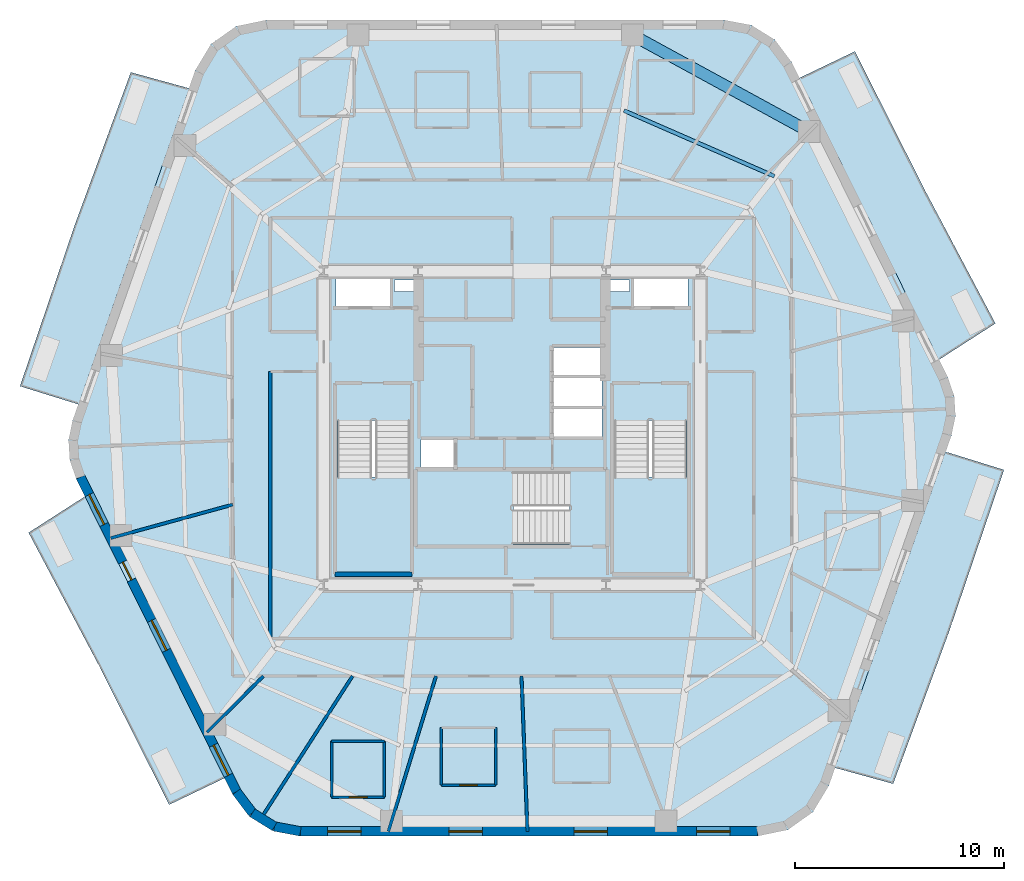
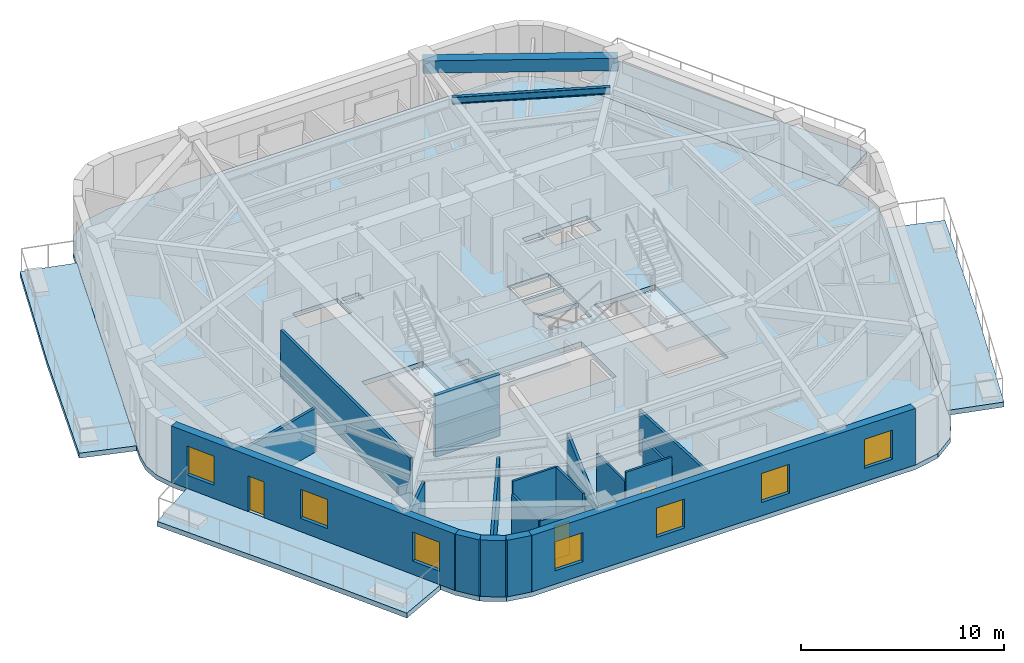
# One storey, part 2 of 10: 19 walls, 8 slabs, 7 windows, 3 doors, 2 beams, 10 openings, 3 elements without a shape of their own.
"""IFC4 building model written with IfcOpenShell, lengths in metres."""

import ifcopenshell
import ifcopenshell.guid

model = None  # the IFC model being written
_history = None  # IfcOwnerHistory: only IFC2X3 demands one
_inside = {}  # id of a spatial element -> (the spatial element, [elements in it])
_under = {}  # id of a project, library or spatial element -> (it, [spatial elements below it])
_declared = {}  # id of a project -> (the project, [libraries it declares])
_typed = {}  # id of a type object -> (the type object, [elements of that type])
_made_of = {}  # id of a material, layer set ... -> (it, [elements and type objects made of it])


def new_model(schema):
    """Start an empty IFC model of exactly this schema.

    Asked for "IFC4X3", IfcOpenShell would pick the latest addendum, in which some entities
    have other attributes; the version numbers below select the first issue.
    IFC2X3 requires an IfcOwnerHistory on every rooted entity: one is made here for all.
    """
    global model, _history
    if schema == "IFC4X3":
        model = ifcopenshell.file(schema_version=(4, 3, 0, 0))
    else:
        model = ifcopenshell.file(schema=schema)
    _inside.clear()
    _under.clear()
    _declared.clear()
    _typed.clear()
    _made_of.clear()
    _history = None
    if model.schema == "IFC2X3":
        org = make("IfcOrganization", Name="unknown")
        user = make(
            "IfcPersonAndOrganization",
            ThePerson=make("IfcPerson", FamilyName="unknown"),
            TheOrganization=org,
        )
        app = make(
            "IfcApplication",
            ApplicationDeveloper=org,
            Version="unknown",
            ApplicationFullName="unknown",
            ApplicationIdentifier="unknown",
        )
        _history = make(
            "IfcOwnerHistory",
            OwningUser=user,
            OwningApplication=app,
            ChangeAction="ADDED",
            CreationDate=0,
        )
    return model


def make(cls, **values):
    """One entity of the class cls with the attributes given. An attribute that is None is left unset."""
    return model.create_entity(
        cls, **{name: value for name, value in values.items() if value is not None}
    )


def rooted(cls, **values):
    """An entity with a GlobalId (a new one), such as an element, a storey or a relation."""
    return make(cls, GlobalId=ifcopenshell.guid.new(), OwnerHistory=_history, **values)


def si_unit(unit_type, name, prefix=None):
    """IfcSIUnit, for example si_unit("LENGTHUNIT", "METRE", prefix="MILLI")."""
    return make("IfcSIUnit", UnitType=unit_type, Prefix=prefix, Name=name)


def assignment(units):
    """IfcUnitAssignment: the units of a project."""
    return None if units is None else make("IfcUnitAssignment", Units=units)


def point(xyz):
    """IfcCartesianPoint."""
    return None if xyz is None else make("IfcCartesianPoint", Coordinates=xyz)


def direction(xyz):
    """IfcDirection."""
    return None if xyz is None else make("IfcDirection", DirectionRatios=xyz)


def frame(location, z_axis=None, x_axis=None):
    """IfcAxis2Placement3D, a coordinate frame: its origin and axes. An axis left out is left unset."""
    return make(
        "IfcAxis2Placement3D",
        Location=point(location),
        Axis=direction(z_axis),
        RefDirection=direction(x_axis),
    )


def frame_2d(location, x_axis=None):
    """IfcAxis2Placement2D, a coordinate frame in the plane: its origin and x axis."""
    return make(
        "IfcAxis2Placement2D", Location=point(location), RefDirection=direction(x_axis)
    )


def origin():
    """The frame at (0, 0, 0) with its axes left unset."""
    return frame((0.0, 0.0, 0.0))


def origin_2d():
    """The frame at (0, 0) in the plane with its x axis left unset."""
    return frame_2d((0.0, 0.0))


def place(relative_to, where):
    """IfcLocalPlacement: puts the frame where relative to a parent placement (None: the world)."""
    return make(
        "IfcLocalPlacement", PlacementRelTo=relative_to, RelativePlacement=where
    )


def context(
    kind, dimensions, precision=None, world=None, true_north=None, identifier=None
):
    """IfcGeometricRepresentationContext, for example the 3D "Model" context."""
    return make(
        "IfcGeometricRepresentationContext",
        ContextIdentifier=identifier,
        ContextType=kind,
        CoordinateSpaceDimension=dimensions,
        Precision=precision,
        WorldCoordinateSystem=world,
        TrueNorth=true_north,
    )


def subcontext(parent, identifier, kind, view, scale=None):
    """IfcGeometricRepresentationSubContext, for example "Body" below "Model"."""
    return make(
        "IfcGeometricRepresentationSubContext",
        ContextIdentifier=identifier,
        ContextType=kind,
        ParentContext=parent,
        TargetScale=scale,
        TargetView=view,
    )


def project(units=None, contexts=None):
    """IfcProject with its units and contexts."""
    return rooted(
        "IfcProject",
        Name="project",
        RepresentationContexts=contexts,
        UnitsInContext=assignment(units),
    )


def spatial(cls, under=None, at=None, **own):
    """A site, building, storey or space (cls), placed at a placement, below another one or the project."""
    s = rooted(cls, ObjectPlacement=at, **own)
    if under is not None:
        _under.setdefault(under.id(), (under, []))[1].append(s)
    return s


def polyline(points):
    """IfcPolyline through the points."""
    return make("IfcPolyline", Points=[point(p) for p in points])


def profile(cls, at=None, kind="AREA", **sizes):
    """A parametric profile (cls). Its sizes go by their IFC names, for example OverallWidth=200.0."""
    return make(cls, ProfileType=kind, Position=at, **sizes)


def rectangle(**sizes):
    """IfcRectangleProfileDef."""
    return profile("IfcRectangleProfileDef", **sizes)


def i_section(**sizes):
    """IfcIShapeProfileDef."""
    return profile("IfcIShapeProfileDef", **sizes)


def outline(outer, holes=None, kind="AREA"):
    """IfcArbitraryClosedProfileDef: a profile drawn as a closed curve; with holes, ...WithVoids."""
    if holes is None:
        return make("IfcArbitraryClosedProfileDef", ProfileType=kind, OuterCurve=outer)
    return make(
        "IfcArbitraryProfileDefWithVoids",
        ProfileType=kind,
        OuterCurve=outer,
        InnerCurves=holes,
    )


def extrude(swept, where, along, depth):
    """IfcExtrudedAreaSolid: the profile swept, set in the frame where, extruded along a direction by depth."""
    return make(
        "IfcExtrudedAreaSolid",
        SweptArea=swept,
        Position=where,
        ExtrudedDirection=direction(along),
        Depth=depth,
    )


def shape(context_of_items, identifier, shape_type, items):
    """IfcShapeRepresentation: the items that make up one representation, for example the "Body"."""
    return make(
        "IfcShapeRepresentation",
        ContextOfItems=context_of_items,
        RepresentationIdentifier=identifier,
        RepresentationType=shape_type,
        Items=items,
    )


def material(Name=None, Category=None):
    """IfcMaterial."""
    return make("IfcMaterial", Name=Name, Category=Category)


def layer(
    of_material, thickness, ventilated=None, Name=None, Category=None, Priority=None
):
    """IfcMaterialLayer: one layer of a wall or slab, of a material (None: an air gap)."""
    return make(
        "IfcMaterialLayer",
        Material=of_material,
        LayerThickness=thickness,
        IsVentilated=ventilated,
        Name=Name,
        Category=Category,
        Priority=Priority,
    )


def layer_set(layers, Name=None):
    """IfcMaterialLayerSet."""
    return make("IfcMaterialLayerSet", MaterialLayers=layers, LayerSetName=Name)


def material_profile(
    of_material, cross_section, Name=None, Category=None, Priority=None
):
    """IfcMaterialProfile: a cross section and its material."""
    return make(
        "IfcMaterialProfile",
        Name=Name,
        Material=of_material,
        Profile=cross_section,
        Priority=Priority,
        Category=Category,
    )


def profile_set(profiles, Name=None, composite=None):
    """IfcMaterialProfileSet."""
    return make(
        "IfcMaterialProfileSet",
        Name=Name,
        MaterialProfiles=profiles,
        CompositeProfile=composite,
    )


def made_of(thing, what):
    """Note that an element or type object is made of a material, layer set ...; save() writes the relation."""
    if what is not None:
        _made_of.setdefault(what.id(), (what, []))[1].append(thing)
    return thing


def type_object(cls, material=None, **own):
    """A type object (cls), such as IfcWallType, which elements share."""
    return made_of(rooted(cls, **own), material)


def element(
    cls,
    number,
    at=None,
    inside=None,
    cuts=None,
    type_object=None,
    material=None,
    context=None,
    identifier="Body",
    shape_type=None,
    held_by="IfcProductDefinitionShape",
    body=None,
    shapes=None,
    **own,
):
    """One element of the class cls, such as IfcWall. Its Tag is "e" and its number.

    at: its placement. inside: the storey or other place that contains it. cuts: it is an
    opening in that element (IfcRelVoidsElement). A single representation is given by context,
    identifier, shape_type and body (its items); several are given by shapes. held_by: the class
    of the entity that holds the representations. save() writes the other relations.
    """
    e = rooted(cls, Tag="e%d" % number, ObjectPlacement=at, **own)
    if body is not None:
        shapes = [shape(context, identifier, shape_type, body)]
    if shapes is not None:
        e.Representation = make(held_by, Representations=shapes)
    if inside is not None:
        _inside.setdefault(inside.id(), (inside, []))[1].append(e)
    if cuts is not None:
        rooted(
            "IfcRelVoidsElement", RelatingBuildingElement=cuts, RelatedOpeningElement=e
        )
    if type_object is not None:
        _typed.setdefault(type_object.id(), (type_object, []))[1].append(e)
    return made_of(e, material)


def fill(opening, filler):
    """IfcRelFillsElement: the door or window that sits in an opening."""
    return rooted(
        "IfcRelFillsElement",
        RelatingOpeningElement=opening,
        RelatedBuildingElement=filler,
    )


def aggregate(whole, parts):
    """IfcRelAggregates: a whole, such as a stair, and the parts it consists of."""
    return rooted("IfcRelAggregates", RelatingObject=whole, RelatedObjects=parts)


def save(model, path):
    """Write the relations noted so far, then the file.

    IfcRelAggregates (storeys below a building ...), IfcRelContainedInSpatialStructure (elements
    in a storey), IfcRelDefinesByType, IfcRelAssociatesMaterial and IfcRelDeclares: one each for
    every whole, place, type object, material and project.
    """
    for whole, parts in _under.values():
        aggregate(whole, parts)
    for where, things in _inside.values():
        rooted(
            "IfcRelContainedInSpatialStructure",
            RelatedElements=things,
            RelatingStructure=where,
        )
    for kind, things in _typed.values():
        rooted("IfcRelDefinesByType", RelatedObjects=things, RelatingType=kind)
    for what, things in _made_of.values():
        rooted("IfcRelAssociatesMaterial", RelatedObjects=things, RelatingMaterial=what)
    for by, libraries in _declared.values():
        rooted("IfcRelDeclares", RelatingContext=by, RelatedDefinitions=libraries)
    model.write(path)


model = new_model("IFC4")

# Units and contexts
model_context = context("Model", 3, precision=1e-05, world=origin(), true_north=direction((0.0, 1.0)))
body_context = subcontext(model_context, "Body", "Model", "MODEL_VIEW")
ifc_project = project(units=[si_unit("LENGTHUNIT", "METRE"), si_unit("AREAUNIT", "SQUARE_METRE"), si_unit("VOLUMEUNIT", "CUBIC_METRE"), si_unit("PLANEANGLEUNIT", "RADIAN"), si_unit("MASSUNIT", "GRAM", prefix="KILO")], contexts=[model_context])

# Site, building, storey
site_placement = place(None, origin())
site = spatial("IfcSite", under=ifc_project, at=site_placement, CompositionType="ELEMENT")
building_placement = place(site_placement, origin())
building = spatial("IfcBuilding", under=site, at=building_placement, Name="Kilnhurst Terrace Hotel", CompositionType="ELEMENT")
storey_placement = place(building_placement, frame((0.0, 0.0, 183.0)))
storey = spatial("IfcBuildingStorey", under=building, at=storey_placement, Name="L45", CompositionType="ELEMENT", Elevation=183.0)

# Beams
ifc_material_1 = material(Name="Concrete C50/60", Category="concrete")
ifc_material_profile_1 = material_profile(ifc_material_1, rectangle(XDim=0.550048828125, YDim=0.75, at=origin_2d()), Name="RC550X750")
ifc_profile_set_1 = profile_set([ifc_material_profile_1], Name="Concrete C50/60")
beam_type_1 = type_object("IfcBeamType", Name="BM-SPN-550X750", PredefinedType="SPANDREL", material=ifc_profile_set_1)
beam_1_placement = place(storey_placement, frame((14.2041015625, 14.166015625, 3.02490234375), z_axis=(-0.87766189723, 0.479280287672, 0.0), x_axis=(-0.479280287672, -0.87766189723, 0.0)))
element("IfcBeam", 1, at=beam_1_placement, inside=storey, type_object=beam_type_1, Name="L45 Perimeter Spandrel Beam 6", PredefinedType="SPANDREL", context=body_context, shape_type="SweptSolid", body=[
    extrude(rectangle(XDim=0.550048828125, YDim=0.75, at=origin_2d()), origin(), (0.0, 0.0, 1.0), 9.626953125),
])
ifc_material_2 = material(Name="Steel ASTM A992 Grade 50", Category="steel")
ifc_material_profile_2 = material_profile(ifc_material_2, i_section(OverallWidth=0.180908203125, OverallDepth=0.417236328125, WebThickness=0.010986328125, FlangeThickness=0.018310546875, at=origin_2d()), Name="W16X57")
ifc_profile_set_2 = profile_set([ifc_material_profile_2], Name="Steel ASTM A992 Grade 50")
beam_type_2 = type_object("IfcBeamType", Name="JST-STL-W16X57", PredefinedType="JOIST", material=ifc_profile_set_2)
beam_2_placement = place(storey_placement, frame((12.538818359375, 12.032958984375, 3.19091796875), z_axis=(-0.916443679054, 0.400163695407, 0.0), x_axis=(-0.400163695407, -0.916443679054, 0.0)))
element("IfcBeam", 2, at=beam_2_placement, inside=storey, type_object=beam_type_2, Name="L45 Secondary Floor Steel Joist OUT.6", PredefinedType="JOIST", context=body_context, shape_type="SweptSolid", body=[
    extrude(i_section(OverallWidth=0.180908203125, OverallDepth=0.417236328125, WebThickness=0.010986328125, FlangeThickness=0.018310546875, at=origin_2d()), origin(), (0.0, 0.0, 1.0), 7.84033203125),
])

# Slabs
ifc_layer_1 = layer(ifc_material_1, 0.300048828125, Name="Concrete C50/60")
ifc_layer_set_1 = layer_set([ifc_layer_1], Name="Concrete C50/60")
slab_type_1 = type_object("IfcSlabType", Name="SLB-BAL-300", PredefinedType="FLOOR", material=ifc_layer_set_1)
slab_1_placement = place(storey_placement, frame((0.0, 0.0, -0.300048828125)))
element("IfcSlab", 3, at=slab_1_placement, inside=storey, type_object=slab_type_1, Name="L45 Cantilevered Planted Terrace Slab BAL-L1A", PredefinedType="FLOOR", context=body_context, shape_type="SweptSolid", body=[
    extrude(outline(polyline([(20.892333984375, -9.7119140625), (18.216064453125, -17.0), (15.420654296875, -16.2314453125), (20.708251953125, -1.128662109375), (23.511962890625, -2.0), (20.892333984375, -9.7119140625)])), origin(), (0.0, 0.0, 1.0), 0.300048828125),
])
slab_2_placement = place(storey_placement, frame((0.0, 0.0, -0.300048828125)))
element("IfcSlab", 4, at=slab_2_placement, inside=storey, type_object=slab_type_1, Name="L45 Cantilevered Planted Terrace Slab BAL-L1B", PredefinedType="FLOOR", context=body_context, shape_type="SweptSolid", body=[
    extrude(outline(polyline([(23.100830078125, 5.0), (20.393310546875, 3.25927734375), (13.718505859375, 16.72021484375), (16.384033203125, 18.0), (19.769287109375, 11.293212890625), (23.100830078125, 5.0)])), origin(), (0.0, 0.0, 1.0), 0.300048828125),
])
slab_3_placement = place(storey_placement, frame((0.0, 0.0, -0.300048828125)))
element("IfcSlab", 5, at=slab_3_placement, inside=storey, type_object=slab_type_1, Name="L45 Cantilevered Planted Terrace Slab BAL-L2A", PredefinedType="FLOOR", context=body_context, shape_type="SweptSolid", body=[
    extrude(outline(polyline([(-18.216064453125, 17.0), (-15.420654296875, 16.2314453125), (-20.708251953125, 1.128662109375), (-23.511962890625, 2.0), (-20.892333984375, 9.7119140625), (-18.216064453125, 17.0)])), origin(), (0.0, 0.0, 1.0), 0.300048828125),
])
slab_4_placement = place(storey_placement, frame((0.0, 0.0, -0.300048828125)))
element("IfcSlab", 6, at=slab_4_placement, inside=storey, type_object=slab_type_1, Name="L45 Cantilevered Planted Terrace Slab BAL-L2B", PredefinedType="FLOOR", context=body_context, shape_type="SweptSolid", body=[
    extrude(outline(polyline([(-23.100830078125, -5.0), (-20.393310546875, -3.25927734375), (-13.718505859375, -16.72021484375), (-16.384033203125, -18.0), (-19.769287109375, -11.293212890625), (-23.100830078125, -5.0)])), origin(), (0.0, 0.0, 1.0), 0.300048828125),
])
ifc_layer_2 = layer(ifc_material_1, 0.280029296875, Name="Concrete C50/60")
ifc_layer_set_2 = layer_set([ifc_layer_2], Name="Concrete C50/60")
slab_type_2 = type_object("IfcSlabType", Name="SLB-FLR-280", PredefinedType="FLOOR", material=ifc_layer_set_2)
slab_5_placement = place(storey_placement, frame((0.0, 0.0, -0.280029296875)))
element("IfcSlab", 7, at=slab_5_placement, inside=storey, type_object=slab_type_2, Name="L45 Structural Floor Slab", PredefinedType="FLOOR", context=body_context, shape_type="SweptSolid", body=[
    extrude(outline(polyline([(-13.3544921875, -17.499267578125), (-12.5576171875, -18.5576171875), (-11.431640625, -19.256103515625), (-10.12939453125, -19.5), (11.74365234375, -19.5), (13.18310546875, -19.19970703125), (14.38232421875, -18.348876953125), (15.141357421875, -17.089599609375), (20.9990234375, -0.3583984375), (21.192138671875, 0.57568359375), (21.13330078125, 1.527587890625), (20.82666015625, 2.4306640625), (13.3544921875, 17.499267578125), (12.5576171875, 18.5576171875), (11.431640625, 19.256103515625), (10.12939453125, 19.5), (-11.74365234375, 19.5), (-13.18310546875, 19.19970703125), (-14.38232421875, 18.348876953125), (-15.141357421875, 17.089599609375), (-20.9990234375, 0.3583984375), (-21.192138671875, -0.57568359375), (-21.13330078125, -1.527587890625), (-20.82666015625, -2.4306640625), (-13.3544921875, -17.499267578125)]), holes=[polyline([(2.7548828125, -2.080078125), (2.7548828125, -5.550048828125), (-4.5, -5.550048828125), (-4.5, -2.080078125), (2.7548828125, -2.080078125)]), polyline([(-8.35009765625, 0.35498046875), (-4.8798828125, 0.35498046875), (-4.8798828125, -6.89990234375), (-8.35009765625, -6.89990234375), (-8.35009765625, 0.35498046875)]), polyline([(-2.800048828125, -1.89990234375), (-4.35009765625, -1.89990234375), (-4.35009765625, -0.550048828125), (-2.800048828125, -0.550048828125), (-2.800048828125, -1.89990234375)]), polyline([(1.949951171875, -0.429931640625), (1.949951171875, 0.89990234375), (4.300048828125, 0.89990234375), (4.300048828125, -0.429931640625), (1.949951171875, -0.429931640625)]), polyline([(-8.39990234375, 5.75), (-8.39990234375, 7.14990234375), (-5.800048828125, 7.14990234375), (-5.800048828125, 5.75), (-8.39990234375, 5.75)]), polyline([(-4.659912109375, 6.52001953125), (-5.6201171875, 6.52001953125), (-5.6201171875, 7.080078125), (-4.659912109375, 7.080078125), (-4.659912109375, 6.52001953125)]), polyline([(8.35009765625, 0.35498046875), (8.35009765625, -6.89990234375), (4.8798828125, -6.89990234375), (4.8798828125, 0.35498046875), (8.35009765625, 0.35498046875)]), polyline([(1.949951171875, 1.050048828125), (1.949951171875, 2.3798828125), (4.300048828125, 2.3798828125), (4.300048828125, 1.050048828125), (1.949951171875, 1.050048828125)]), polyline([(4.300048828125, 2.530029296875), (1.949951171875, 2.530029296875), (1.949951171875, 3.860107421875), (4.300048828125, 3.860107421875), (4.300048828125, 2.530029296875)]), polyline([(5.800048828125, 5.75), (5.800048828125, 7.14990234375), (8.39990234375, 7.14990234375), (8.39990234375, 5.75), (5.800048828125, 5.75)]), polyline([(4.659912109375, 6.52001953125), (4.659912109375, 7.080078125), (5.6201171875, 7.080078125), (5.6201171875, 6.52001953125), (4.659912109375, 6.52001953125)])]), origin(), (0.0, 0.0, 1.0), 0.280029296875),
])

# Stair, slab
stair_type = type_object("IfcStairType", Name="STR-CORE-1660", PredefinedType="HALF_TURN_STAIR", material=ifc_material_1)
stair_1_placement = place(storey_placement, origin())
stair_1 = element("IfcStair", 8, at=stair_1_placement, inside=storey, type_object=stair_type, Name="L45 ST-1", PredefinedType="HALF_TURN_STAIR")
ifc_layer_3 = layer(ifc_material_1, 0.199951171875, Name="Concrete C50/60")
ifc_layer_set_3 = layer_set([ifc_layer_3], Name="Concrete C50/60")
slab_type_3 = type_object("IfcSlabType", Name="SLB-ST-LND-200", PredefinedType="LANDING", material=ifc_layer_set_3)
slab_6_placement = place(storey_placement, frame((0.0, 0.0, 1.64990234375)))
slab_6 = element("IfcSlab", 9, at=slab_6_placement, type_object=slab_type_3, Name="ST-1 landing 1", PredefinedType="LANDING", context=body_context, shape_type="SweptSolid", body=[
    extrude(outline(polyline([(-8.429931640625, -2.330078125), (-4.800048828125, -2.330078125), (-4.800048828125, -6.97998046875), (-8.429931640625, -6.97998046875), (-8.429931640625, -2.330078125)])), origin(), (0.0, 0.0, 1.0), 0.2001953125),
])
aggregate(stair_1, [slab_6])

stair_2_placement = place(storey_placement, origin())
stair_2 = element("IfcStair", 10, at=stair_2_placement, inside=storey, type_object=stair_type, Name="L45 ST-2", PredefinedType="HALF_TURN_STAIR")
slab_7_placement = place(storey_placement, frame((0.0, 0.0, 1.64990234375)))
slab_7 = element("IfcSlab", 11, at=slab_7_placement, type_object=slab_type_3, Name="ST-2 landing 1", PredefinedType="LANDING", context=body_context, shape_type="SweptSolid", body=[
    extrude(outline(polyline([(4.800048828125, -2.330078125), (8.429931640625, -2.330078125), (8.429931640625, -6.97998046875), (4.800048828125, -6.97998046875), (4.800048828125, -2.330078125)])), origin(), (0.0, 0.0, 1.0), 0.2001953125),
])
aggregate(stair_2, [slab_7])

stair_3_placement = place(storey_placement, origin())
stair_3 = element("IfcStair", 12, at=stair_3_placement, inside=storey, type_object=stair_type, Name="L45 ST-3", PredefinedType="HALF_TURN_STAIR")
slab_8_placement = place(storey_placement, frame((0.0, 0.0, 1.64990234375)))
slab_8 = element("IfcSlab", 13, at=slab_8_placement, type_object=slab_type_3, Name="ST-3 landing 1", PredefinedType="LANDING", context=body_context, shape_type="SweptSolid", body=[
    extrude(outline(polyline([(0.070068359375, -2.0), (0.070068359375, -5.6298828125), (-4.580078125, -5.6298828125), (-4.580078125, -2.0), (0.070068359375, -2.0)])), origin(), (0.0, 0.0, 1.0), 0.2001953125),
])
aggregate(stair_3, [slab_8])

# Walls
ifc_material_3 = material(Name="Precast concrete C40/50", Category="concrete")
ifc_layer_4 = layer(ifc_material_3, 0.449951171875, Name="Precast concrete C40/50")
ifc_layer_set_4 = layer_set([ifc_layer_4], Name="Precast concrete C40/50")
wall_type_1 = type_object("IfcWallType", Name="WL-BRK-450", PredefinedType="SOLIDWALL", material=ifc_layer_set_4)
wall_1_placement = place(storey_placement, frame((-13.162353515625, -17.380615234375, 0.0), z_axis=(0.0, 0.0, 1.0), x_axis=(0.601515770517, -0.798860925205, 0.0)))
element("IfcWall", 14, at=wall_1_placement, inside=storey, type_object=wall_type_1, Name="L45 Rounded Corner Brick Wall C1.1", PredefinedType="SOLIDWALL", context=body_context, shape_type="SweptSolid", body=[
    extrude(rectangle(XDim=1.261962890625, YDim=0.449951171875, at=frame_2d((0.630859375, 0.0))), origin(), (0.0, 0.0, 1.0), 3.39990234375),
])
wall_2_placement = place(storey_placement, frame((-12.4033203125, -18.388671875, 0.0), z_axis=(0.0, 0.0, 1.0), x_axis=(0.849795170926, -0.527113049991, 0.0)))
element("IfcWall", 15, at=wall_2_placement, inside=storey, type_object=wall_type_1, Name="L45 Rounded Corner Brick Wall C1.2", PredefinedType="SOLIDWALL", context=body_context, shape_type="SweptSolid", body=[
    extrude(rectangle(XDim=1.24072265625, YDim=0.449951171875, at=frame_2d((0.620361328125, 0.0))), origin(), (0.0, 0.0, 1.0), 3.39990234375),
])
wall_3_placement = place(storey_placement, frame((-11.348876953125, -19.042724609375, 0.0), z_axis=(0.0, 0.0, 1.0), x_axis=(0.982931267051, -0.183973161772, 0.0)))
element("IfcWall", 16, at=wall_3_placement, inside=storey, type_object=wall_type_1, Name="L45 Rounded Corner Brick Wall C1.3", PredefinedType="SOLIDWALL", context=body_context, shape_type="SweptSolid", body=[
    extrude(rectangle(XDim=1.261962890625, YDim=0.449951171875, at=frame_2d((0.630859375, 0.0))), origin(), (0.0, 0.0, 1.0), 3.39990234375),
])

# Wall, openings, windows
wall_4_placement = place(storey_placement, frame((-10.1083984375, -19.27490234375, 0.0), z_axis=(0.0, 0.0, 1.0), x_axis=(1.0, 0.0, 0.0)))
wall_4 = element("IfcWall", 17, at=wall_4_placement, inside=storey, type_object=wall_type_1, Name="L45 Exterior Brick Facade Wall F1", PredefinedType="SOLIDWALL", context=body_context, shape_type="SweptSolid", body=[
    extrude(rectangle(XDim=21.828857421875, YDim=0.449951171875, at=frame_2d((10.91455078125, 0.0))), origin(), (0.0, 0.0, 1.0), 3.39990234375),
])
opening_1_placement = place(wall_4_placement, frame((1.297119140625, 0.0, 0.800048828125)))
opening_1 = element("IfcOpeningElement", 18, at=opening_1_placement, cuts=wall_4, Name="Opening W-05", PredefinedType="OPENING", context=body_context, shape_type="SweptSolid", body=[
    extrude(rectangle(XDim=1.60009765625, YDim=1.75, at=frame_2d((0.800048828125, 0.875))), frame((0.0, 0.23486328125, 0.0), z_axis=(0.0, -1.0, 0.0), x_axis=(1.0, 0.0, 0.0)), (0.0, 0.0, 1.0), 0.469970703125),
])
opening_2_placement = place(wall_4_placement, frame((7.090087890625, 0.0, 0.800048828125)))
opening_2 = element("IfcOpeningElement", 19, at=opening_2_placement, cuts=wall_4, Name="Opening W-05", PredefinedType="OPENING", context=body_context, shape_type="SweptSolid", body=[
    extrude(rectangle(XDim=1.60009765625, YDim=1.75, at=frame_2d((0.800048828125, 0.875))), frame((0.0, 0.23486328125, 0.0), z_axis=(0.0, -1.0, 0.0), x_axis=(1.0, 0.0, 0.0)), (0.0, 0.0, 1.0), 0.469970703125),
])
opening_3_placement = place(wall_4_placement, frame((13.072021484375, 0.0, 0.800048828125)))
opening_3 = element("IfcOpeningElement", 20, at=opening_3_placement, cuts=wall_4, Name="Opening W-05", PredefinedType="OPENING", context=body_context, shape_type="SweptSolid", body=[
    extrude(rectangle(XDim=1.60009765625, YDim=1.75, at=frame_2d((0.800048828125, 0.875))), frame((0.0, 0.23486328125, 0.0), z_axis=(0.0, -1.0, 0.0), x_axis=(1.0, 0.0, 0.0)), (0.0, 0.0, 1.0), 0.469970703125),
])
opening_4_placement = place(wall_4_placement, frame((18.93310546875, 0.0, 0.800048828125)))
opening_4 = element("IfcOpeningElement", 21, at=opening_4_placement, cuts=wall_4, Name="Opening W-05", PredefinedType="OPENING", context=body_context, shape_type="SweptSolid", body=[
    extrude(rectangle(XDim=1.60009765625, YDim=1.75, at=frame_2d((0.800048828125, 0.875))), frame((0.0, 0.23486328125, 0.0), z_axis=(0.0, -1.0, 0.0), x_axis=(1.0, 0.0, 0.0)), (0.0, 0.0, 1.0), 0.469970703125),
])
ifc_material_4 = material(Name="Thermally Broken Bronze Aluminium Alloy 6063-T6 and Low-E Glass", Category="aluminium")
window_type = type_object("IfcWindowType", Name="WIN-1600X1750", PartitioningType="SINGLE_PANEL", PredefinedType="WINDOW", material=ifc_material_4)
window_1_placement = place(opening_1_placement, origin())
window_1 = element("IfcWindow", 22, at=window_1_placement, inside=storey, type_object=window_type, Name="L45 Deep-Set Masonry Window F1.1", OverallHeight=1.75, OverallWidth=1.60009765625, PartitioningType="SINGLE_PANEL", PredefinedType="WINDOW", context=body_context, shape_type="SweptSolid", body=[
    extrude(rectangle(XDim=1.60009765625, YDim=1.75, at=frame_2d((0.800048828125, 0.875))), frame((0.0, 0.030029296875, 0.0), z_axis=(0.0, -1.0, 0.0), x_axis=(1.0, 0.0, 0.0)), (0.0, 0.0, 1.0), 0.06005859375),
])
fill(opening_1, window_1)
window_2_placement = place(opening_2_placement, origin())
window_2 = element("IfcWindow", 23, at=window_2_placement, inside=storey, type_object=window_type, Name="L45 Deep-Set Masonry Window F1.2", OverallHeight=1.75, OverallWidth=1.60009765625, PartitioningType="SINGLE_PANEL", PredefinedType="WINDOW", context=body_context, shape_type="SweptSolid", body=[
    extrude(rectangle(XDim=1.60009765625, YDim=1.75, at=frame_2d((0.800048828125, 0.875))), frame((0.0, 0.030029296875, 0.0), z_axis=(0.0, -1.0, 0.0), x_axis=(1.0, 0.0, 0.0)), (0.0, 0.0, 1.0), 0.06005859375),
])
fill(opening_2, window_2)
window_3_placement = place(opening_3_placement, origin())
window_3 = element("IfcWindow", 24, at=window_3_placement, inside=storey, type_object=window_type, Name="L45 Deep-Set Masonry Window F1.3", OverallHeight=1.75, OverallWidth=1.60009765625, PartitioningType="SINGLE_PANEL", PredefinedType="WINDOW", context=body_context, shape_type="SweptSolid", body=[
    extrude(rectangle(XDim=1.60009765625, YDim=1.75, at=frame_2d((0.800048828125, 0.875))), frame((0.0, 0.030029296875, 0.0), z_axis=(0.0, -1.0, 0.0), x_axis=(1.0, 0.0, 0.0)), (0.0, 0.0, 1.0), 0.06005859375),
])
fill(opening_3, window_3)
window_4_placement = place(opening_4_placement, origin())
window_4 = element("IfcWindow", 25, at=window_4_placement, inside=storey, type_object=window_type, Name="L45 Deep-Set Masonry Window F1.4", OverallHeight=1.75, OverallWidth=1.60009765625, PartitioningType="SINGLE_PANEL", PredefinedType="WINDOW", context=body_context, shape_type="SweptSolid", body=[
    extrude(rectangle(XDim=1.60009765625, YDim=1.75, at=frame_2d((0.800048828125, 0.875))), frame((0.0, 0.030029296875, 0.0), z_axis=(0.0, -1.0, 0.0), x_axis=(1.0, 0.0, 0.0)), (0.0, 0.0, 1.0), 0.06005859375),
])
fill(opening_4, window_4)

# Wall, openings, door, windows
wall_5_placement = place(storey_placement, frame((-20.618408203125, -2.343994140625, 0.0), z_axis=(0.0, 0.0, 1.0), x_axis=(0.444243691097, -0.895905990002, 0.0)))
wall_5 = element("IfcWall", 26, at=wall_5_placement, inside=storey, type_object=wall_type_1, Name="L45 Exterior Brick Facade Wall F6", PredefinedType="SOLIDWALL", context=body_context, shape_type="SweptSolid", body=[
    extrude(rectangle(XDim=16.78369140625, YDim=0.449951171875, at=frame_2d((8.391845703125, 0.0))), origin(), (0.0, 0.0, 1.0), 3.39990234375),
])
opening_5_placement = place(wall_5_placement, frame((4.534912109375, 0.0, 0.0)))
opening_5 = element("IfcOpeningElement", 27, at=opening_5_placement, cuts=wall_5, Name="Opening BD-950", PredefinedType="OPENING", context=body_context, shape_type="SweptSolid", body=[
    extrude(rectangle(XDim=0.949951171875, YDim=2.14990234375, at=frame_2d((0.47509765625, 1.074951171875))), frame((0.0, 0.23486328125, 0.0), z_axis=(0.0, -1.0, 0.0), x_axis=(1.0, 0.0, 0.0)), (0.0, 0.0, 1.0), 0.469970703125),
])
opening_6_placement = place(wall_5_placement, frame((0.930908203125, 0.0, 0.800048828125)))
opening_6 = element("IfcOpeningElement", 28, at=opening_6_placement, cuts=wall_5, Name="Opening W-05", PredefinedType="OPENING", context=body_context, shape_type="SweptSolid", body=[
    extrude(rectangle(XDim=1.60009765625, YDim=1.75, at=frame_2d((0.800048828125, 0.875))), frame((0.0, 0.23486328125, 0.0), z_axis=(0.0, -1.0, 0.0), x_axis=(1.0, 0.0, 0.0)), (0.0, 0.0, 1.0), 0.469970703125),
])
opening_7_placement = place(wall_5_placement, frame((7.64208984375, 0.0, 0.800048828125)))
opening_7 = element("IfcOpeningElement", 29, at=opening_7_placement, cuts=wall_5, Name="Opening W-05", PredefinedType="OPENING", context=body_context, shape_type="SweptSolid", body=[
    extrude(rectangle(XDim=1.60009765625, YDim=1.75, at=frame_2d((0.800048828125, 0.875))), frame((0.0, 0.23486328125, 0.0), z_axis=(0.0, -1.0, 0.0), x_axis=(1.0, 0.0, 0.0)), (0.0, 0.0, 1.0), 0.469970703125),
])
opening_8_placement = place(wall_5_placement, frame((14.302978515625, 0.0, 0.800048828125)))
opening_8 = element("IfcOpeningElement", 30, at=opening_8_placement, cuts=wall_5, Name="Opening W-05", PredefinedType="OPENING", context=body_context, shape_type="SweptSolid", body=[
    extrude(rectangle(XDim=1.60009765625, YDim=1.75, at=frame_2d((0.800048828125, 0.875))), frame((0.0, 0.23486328125, 0.0), z_axis=(0.0, -1.0, 0.0), x_axis=(1.0, 0.0, 0.0)), (0.0, 0.0, 1.0), 0.469970703125),
])
ifc_material_5 = material(Name="Thermally Broken Bronze Aluminium Alloy 6063-T6 and Laminated Glass", Category="aluminium")
door_type_1 = type_object("IfcDoorType", Name="DR-EXT-BAL-950", OperationType="NOTDEFINED", PredefinedType="DOOR", material=ifc_material_5)
door_1_placement = place(opening_5_placement, origin())
door_1 = element("IfcDoor", 31, at=door_1_placement, inside=storey, type_object=door_type_1, Name="L45 Planted Balcony Door BAL-L2B", OperationType="SINGLE_SWING_RIGHT", OverallHeight=2.14990234375, OverallWidth=0.949951171875, PredefinedType="DOOR", context=body_context, shape_type="SweptSolid", body=[
    extrude(rectangle(XDim=0.949951171875, YDim=2.14990234375, at=frame_2d((0.47509765625, 1.074951171875))), frame((0.0, 0.02490234375, 0.0), z_axis=(0.0, -1.0, 0.0), x_axis=(1.0, 0.0, 0.0)), (0.0, 0.0, 1.0), 0.050048828125),
])
fill(opening_5, door_1)
window_5_placement = place(opening_6_placement, origin())
window_5 = element("IfcWindow", 32, at=window_5_placement, inside=storey, type_object=window_type, Name="L45 Deep-Set Masonry Window F6.1", OverallHeight=1.75, OverallWidth=1.60009765625, PartitioningType="SINGLE_PANEL", PredefinedType="WINDOW", context=body_context, shape_type="SweptSolid", body=[
    extrude(rectangle(XDim=1.60009765625, YDim=1.75, at=frame_2d((0.800048828125, 0.875))), frame((0.0, 0.030029296875, 0.0), z_axis=(0.0, -1.0, 0.0), x_axis=(1.0, 0.0, 0.0)), (0.0, 0.0, 1.0), 0.06005859375),
])
fill(opening_6, window_5)
window_6_placement = place(opening_7_placement, origin())
window_6 = element("IfcWindow", 33, at=window_6_placement, inside=storey, type_object=window_type, Name="L45 Deep-Set Masonry Window F6.2", OverallHeight=1.75, OverallWidth=1.60009765625, PartitioningType="SINGLE_PANEL", PredefinedType="WINDOW", context=body_context, shape_type="SweptSolid", body=[
    extrude(rectangle(XDim=1.60009765625, YDim=1.75, at=frame_2d((0.800048828125, 0.875))), frame((0.0, 0.030029296875, 0.0), z_axis=(0.0, -1.0, 0.0), x_axis=(1.0, 0.0, 0.0)), (0.0, 0.0, 1.0), 0.06005859375),
])
fill(opening_7, window_6)
window_7_placement = place(opening_8_placement, origin())
window_7 = element("IfcWindow", 34, at=window_7_placement, inside=storey, type_object=window_type, Name="L45 Deep-Set Masonry Window F6.3", OverallHeight=1.75, OverallWidth=1.60009765625, PartitioningType="SINGLE_PANEL", PredefinedType="WINDOW", context=body_context, shape_type="SweptSolid", body=[
    extrude(rectangle(XDim=1.60009765625, YDim=1.75, at=frame_2d((0.800048828125, 0.875))), frame((0.0, 0.030029296875, 0.0), z_axis=(0.0, -1.0, 0.0), x_axis=(1.0, 0.0, 0.0)), (0.0, 0.0, 1.0), 0.06005859375),
])
fill(opening_8, window_7)

# Walls
ifc_material_6 = material(Name="Acoustic Double-Gypsum Corridor Partition Assembly")
ifc_layer_5 = layer(ifc_material_6, 0.14990234375, Name="Acoustic Double-Gypsum Corridor Partition Assembly")
ifc_layer_set_5 = layer_set([ifc_layer_5], Name="Acoustic Double-Gypsum Corridor Partition Assembly")
wall_type_2 = type_object("IfcWallType", Name="WL-COR-150", PredefinedType="PARTITIONING", material=ifc_layer_set_5)
wall_6_placement = place(storey_placement, frame((-11.550048828125, 2.699951171875, 0.0), z_axis=(0.0, 0.0, 1.0), x_axis=(0.0, -1.0, 0.0)))
element("IfcWall", 35, at=wall_6_placement, inside=storey, type_object=wall_type_2, Name="L45 Interior Wall WL-L45-COR-16", PredefinedType="PARTITIONING", context=body_context, shape_type="SweptSolid", body=[
    extrude(rectangle(XDim=12.75, YDim=0.14990234375, at=frame_2d((6.375, 0.0))), origin(), (0.0, 0.0, 1.0), 2.840087890625),
])
ifc_material_7 = material(Name="STC-58 Acoustic Twin-Frame Guestroom Demising Partition")
ifc_layer_6 = layer(ifc_material_7, 0.14990234375, Name="STC-58 Acoustic Twin-Frame Guestroom Demising Partition")
ifc_layer_set_6 = layer_set([ifc_layer_6], Name="STC-58 Acoustic Twin-Frame Guestroom Demising Partition")
wall_type_3 = type_object("IfcWallType", Name="WL-DEM-150", PredefinedType="PARTITIONING", material=ifc_layer_set_6)
wall_7_placement = place(storey_placement, frame((-13.35009765625, -3.66064453125, 0.0), z_axis=(0.0, 0.0, 1.0), x_axis=(-0.964397145454, -0.264458211898, 0.0)))
element("IfcWall", 36, at=wall_7_placement, inside=storey, type_object=wall_type_3, Name="L45 Interior Wall WL-L45-DEM-COL07-12-1", PredefinedType="PARTITIONING", context=body_context, shape_type="SweptSolid", body=[
    extrude(rectangle(XDim=6.03857421875, YDim=0.14990234375, at=frame_2d((3.019287109375, 0.0))), origin(), (0.0, 0.0, 1.0), 2.639892578125),
])
wall_8_placement = place(storey_placement, frame((-11.8818359375, -11.85009765625, 0.0), z_axis=(0.0, 0.0, 1.0), x_axis=(-0.708037373639, -0.706174962407, 0.0)))
element("IfcWall", 37, at=wall_8_placement, inside=storey, type_object=wall_type_3, Name="L45 Interior Wall WL-L45-DEM-COL08-13-1", PredefinedType="PARTITIONING", context=body_context, shape_type="SweptSolid", body=[
    extrude(rectangle(XDim=3.801513671875, YDim=0.14990234375, at=frame_2d((1.90087890625, 0.0))), origin(), (0.0, 0.0, 1.0), 2.639892578125),
])
wall_9_placement = place(storey_placement, frame((-7.619140625, -11.85009765625, 0.0), z_axis=(0.0, 0.0, 1.0), x_axis=(-0.540829263478, -0.841132396098, 0.0)))
element("IfcWall", 38, at=wall_9_placement, inside=storey, type_object=wall_type_3, Name="L45 Interior Wall WL-L45-DEM-MID08-14-1", PredefinedType="PARTITIONING", context=body_context, shape_type="SweptSolid", body=[
    extrude(rectangle(XDim=7.919189453125, YDim=0.14990234375, at=frame_2d((3.95947265625, 0.0))), origin(), (0.0, 0.0, 1.0), 2.639892578125),
])
wall_10_placement = place(storey_placement, frame((-3.63134765625, -11.85009765625, 0.0), z_axis=(0.0, 0.0, 1.0), x_axis=(-0.293007573338, -0.956110120209, 0.0)))
element("IfcWall", 39, at=wall_10_placement, inside=storey, type_object=wall_type_3, Name="L45 Interior Wall WL-L45-DEM-COL09-15-1", PredefinedType="PARTITIONING", context=body_context, shape_type="SweptSolid", body=[
    extrude(rectangle(XDim=7.765625, YDim=0.14990234375, at=frame_2d((3.8828125, 0.0))), origin(), (0.0, 0.0, 1.0), 2.639892578125),
])
wall_11_placement = place(storey_placement, frame((0.453857421875, -11.85009765625, 0.0), z_axis=(0.0, 0.0, 1.0), x_axis=(0.038279171143, -0.999267083945, 0.0)))
element("IfcWall", 40, at=wall_11_placement, inside=storey, type_object=wall_type_3, Name="L45 Interior Wall WL-L45-DEM-MID09-16-1", PredefinedType="PARTITIONING", context=body_context, shape_type="SweptSolid", body=[
    extrude(rectangle(XDim=7.43017578125, YDim=0.14990234375, at=frame_2d((3.715087890625, 0.0))), origin(), (0.0, 0.0, 1.0), 2.639892578125),
])

# Wall, opening, door
ifc_material_8 = material(Name="120 mm Moisture-Resistant Tile-Backed Bathroom Partition")
ifc_layer_7 = layer(ifc_material_8, 0.1201171875, Name="120 mm Moisture-Resistant Tile-Backed Bathroom Partition")
ifc_layer_set_7 = layer_set([ifc_layer_7], Name="120 mm Moisture-Resistant Tile-Backed Bathroom Partition")
wall_type_4 = type_object("IfcWallType", Name="WL-PART-120", PredefinedType="PARTITIONING", material=ifc_layer_set_7)
wall_12_placement = place(storey_placement, frame((-8.614013671875, -17.638916015625, 0.0), z_axis=(0.0, 0.0, 1.0), x_axis=(1.0, 0.0, 0.0)))
wall_12 = element("IfcWall", 41, at=wall_12_placement, inside=storey, type_object=wall_type_4, Name="L45 Interior Wall WL-L45-BTH-14-1", PredefinedType="PARTITIONING", context=body_context, shape_type="SweptSolid", body=[
    extrude(rectangle(XDim=2.52001953125, YDim=0.1201171875, at=frame_2d((1.260009765625, 0.0))), origin(), (0.0, 0.0, 1.0), 2.639892578125),
])
opening_9_placement = place(wall_12_placement, frame((0.8349609375, 0.0, 0.0)))
opening_9 = element("IfcOpeningElement", 42, at=opening_9_placement, cuts=wall_12, Name="Opening D-08A", PredefinedType="OPENING", context=body_context, shape_type="SweptSolid", body=[
    extrude(rectangle(XDim=0.85009765625, YDim=2.030029296875, at=frame_2d((0.425048828125, 1.01513671875))), frame((0.0, 0.070068359375, 0.0), z_axis=(0.0, -1.0, 0.0), x_axis=(1.0, 0.0, 0.0)), (0.0, 0.0, 1.0), 0.14013671875),
])
ifc_material_9 = material(Name="Moisture-Resistant Lacquered En-suite Bathroom Door")
door_type_2 = type_object("IfcDoorType", Name="DR-INT-850", OperationType="NOTDEFINED", PredefinedType="DOOR", material=ifc_material_9)
door_2_placement = place(opening_9_placement, origin())
door_2 = element("IfcDoor", 43, at=door_2_placement, inside=storey, type_object=door_type_2, Name="L45 En-suite Bathroom Door 14", OperationType="SINGLE_SWING_LEFT", OverallHeight=2.030029296875, OverallWidth=0.85009765625, PredefinedType="DOOR", context=body_context, shape_type="SweptSolid", body=[
    extrude(rectangle(XDim=0.85009765625, YDim=2.030029296875, at=frame_2d((0.425048828125, 1.01513671875))), frame((0.0, 0.02490234375, 0.0), z_axis=(0.0, -1.0, 0.0), x_axis=(1.0, 0.0, 0.0)), (0.0, 0.0, 1.0), 0.050048828125),
])
fill(opening_9, door_2)

# Walls
wall_13_placement = place(storey_placement, frame((-6.093994140625, -17.638916015625, 0.0), z_axis=(0.0, 0.0, 1.0), x_axis=(0.0, 1.0, 0.0)))
element("IfcWall", 44, at=wall_13_placement, inside=storey, type_object=wall_type_4, Name="L45 Interior Wall WL-L45-BTH-14-2", PredefinedType="PARTITIONING", context=body_context, shape_type="SweptSolid", body=[
    extrude(rectangle(XDim=2.679931640625, YDim=0.1201171875, at=frame_2d((1.33984375, 0.0))), origin(), (0.0, 0.0, 1.0), 3.39990234375),
])
wall_14_placement = place(storey_placement, frame((-6.093994140625, -14.958984375, 0.0), z_axis=(0.0, 0.0, 1.0), x_axis=(-1.0, 0.0, 0.0)))
element("IfcWall", 45, at=wall_14_placement, inside=storey, type_object=wall_type_4, Name="L45 Interior Wall WL-L45-BTH-14-3", PredefinedType="PARTITIONING", context=body_context, shape_type="SweptSolid", body=[
    extrude(rectangle(XDim=2.52001953125, YDim=0.1201171875, at=frame_2d((1.260009765625, 0.0))), origin(), (0.0, 0.0, 1.0), 3.39990234375),
])
wall_15_placement = place(storey_placement, frame((-8.614013671875, -14.958984375, 0.0), z_axis=(0.0, 0.0, 1.0), x_axis=(0.0, -1.0, 0.0)))
element("IfcWall", 46, at=wall_15_placement, inside=storey, type_object=wall_type_4, Name="L45 Interior Wall WL-L45-BTH-14-4", PredefinedType="PARTITIONING", context=body_context, shape_type="SweptSolid", body=[
    extrude(rectangle(XDim=2.679931640625, YDim=0.1201171875, at=frame_2d((1.33984375, 0.0))), origin(), (0.0, 0.0, 1.0), 2.639892578125),
])

# Wall, opening, door
wall_16_placement = place(storey_placement, frame((-3.3798828125, -17.06298828125, 0.0), z_axis=(0.0, 0.0, 1.0), x_axis=(1.0, 0.0, 0.0)))
wall_16 = element("IfcWall", 47, at=wall_16_placement, inside=storey, type_object=wall_type_4, Name="L45 Interior Wall WL-L45-BTH-15-1", PredefinedType="PARTITIONING", context=body_context, shape_type="SweptSolid", body=[
    extrude(rectangle(XDim=2.599853515625, YDim=0.1201171875, at=frame_2d((1.2998046875, 0.0))), origin(), (0.0, 0.0, 1.0), 3.39990234375),
])
opening_10_placement = place(wall_16_placement, frame((0.875, 0.0, 0.0)))
opening_10 = element("IfcOpeningElement", 48, at=opening_10_placement, cuts=wall_16, Name="Opening D-08A", PredefinedType="OPENING", context=body_context, shape_type="SweptSolid", body=[
    extrude(rectangle(XDim=0.85009765625, YDim=2.030029296875, at=frame_2d((0.425048828125, 1.01513671875))), frame((0.0, 0.070068359375, 0.0), z_axis=(0.0, -1.0, 0.0), x_axis=(1.0, 0.0, 0.0)), (0.0, 0.0, 1.0), 0.14013671875),
])
door_3_placement = place(opening_10_placement, origin())
door_3 = element("IfcDoor", 49, at=door_3_placement, inside=storey, type_object=door_type_2, Name="L45 En-suite Bathroom Door 15", OperationType="SINGLE_SWING_RIGHT", OverallHeight=2.030029296875, OverallWidth=0.85009765625, PredefinedType="DOOR", context=body_context, shape_type="SweptSolid", body=[
    extrude(rectangle(XDim=0.85009765625, YDim=2.030029296875, at=frame_2d((0.425048828125, 1.01513671875))), frame((0.0, 0.02490234375, 0.0), z_axis=(0.0, -1.0, 0.0), x_axis=(1.0, 0.0, 0.0)), (0.0, 0.0, 1.0), 0.050048828125),
])
fill(opening_10, door_3)

# Walls
for number, where, z_axis, x_axis, name in (
    (50, (-0.780029296875, -17.06298828125, 0.0), (0.0, 0.0, 1.0), (0.0, 1.0, 0.0), "L45 Interior Wall WL-L45-BTH-15-2"),
    (51, (-3.3798828125, -14.31298828125, 0.0), (0.0, 0.0, 1.0), (0.0, -1.0, 0.0), "L45 Interior Wall WL-L45-BTH-15-4"),
):
    element("IfcWall", number, at=place(storey_placement, frame(where, z_axis=z_axis, x_axis=x_axis)), inside=storey, type_object=wall_type_4, Name=name, PredefinedType="PARTITIONING", context=body_context, shape_type="SweptSolid", body=[
        extrude(rectangle(XDim=2.75, YDim=0.1201171875, at=frame_2d((1.375, 0.0))), origin(), (0.0, 0.0, 1.0), 2.840576171875),
    ])
ifc_layer_8 = layer(ifc_material_1, 0.199951171875, Name="Concrete C50/60")
ifc_layer_set_8 = layer_set([ifc_layer_8], Name="Concrete C50/60")
wall_type_5 = type_object("IfcWallType", Name="WL-STAIR-RC-200", PredefinedType="SHEAR", material=ifc_layer_set_8)
wall_17_placement = place(storey_placement, frame((-8.4580078125, -6.985107421875, 0.0), z_axis=(0.0, 0.0, 1.0), x_axis=(1.0, 0.0, 0.0)))
element("IfcWall", 52, at=wall_17_placement, inside=storey, type_object=wall_type_5, Name="L45 Structural Stair Shaft Wall WL-L45-ST1-S", PredefinedType="SHEAR", context=body_context, shape_type="SweptSolid", body=[
    extrude(rectangle(XDim=3.68603515625, YDim=0.199951171875, at=frame_2d((1.843017578125, 0.0))), origin(), (0.0, 0.0, 1.0), 3.699951171875),
])

save(model, "model.ifc")
